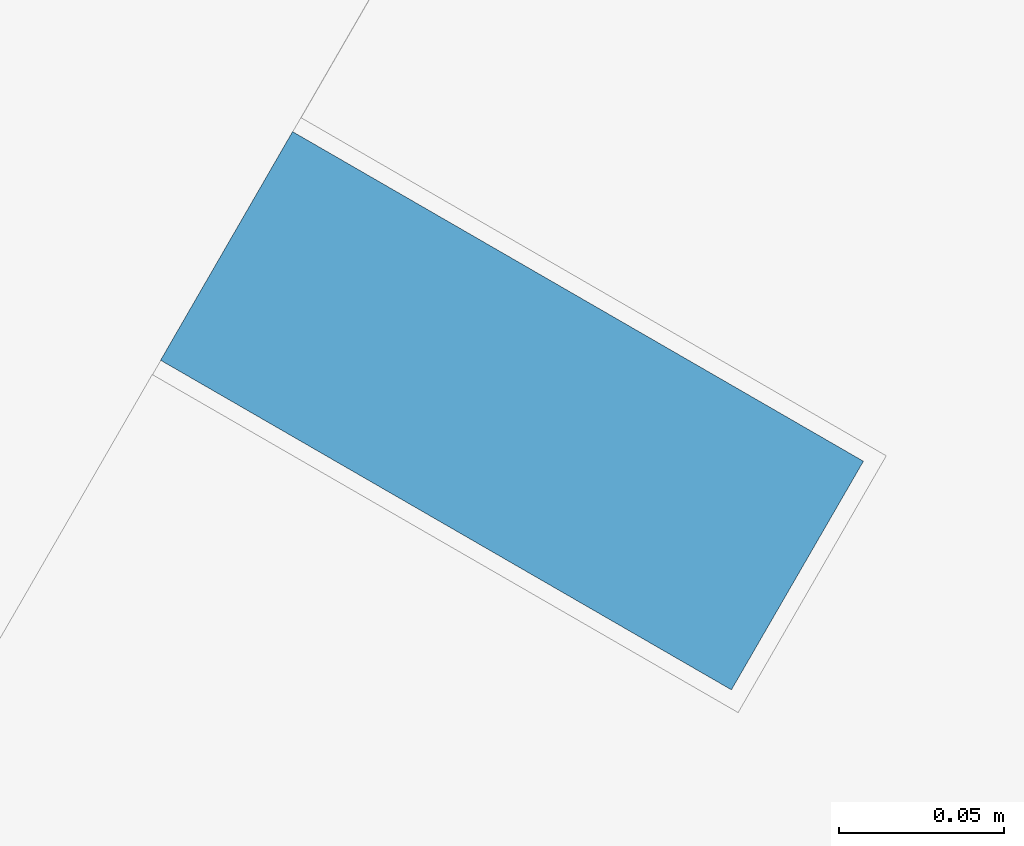
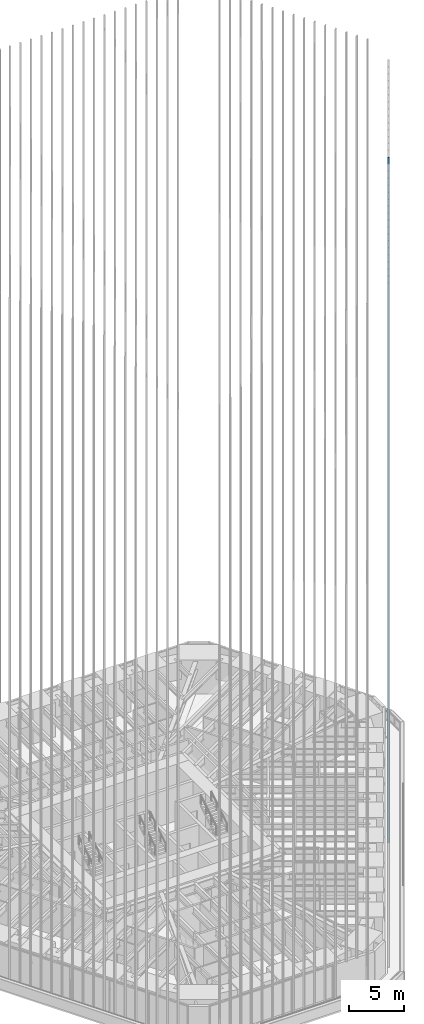
# One storey, part 99 of 238: 1 member, 1 element without a shape of its own.
"""IFC4 building model written with IfcOpenShell, lengths in metres."""

from ifc_helpers import new_model, si_unit, direction, frame, origin, origin_2d, place, context, subcontext, project, spatial, rectangle, extrude, material, material_profile, profile_set, type_object, element, aggregate, save


model = new_model("IFC4")

# Units and contexts
model_context = context("Model", 3, precision=1e-05, world=origin(), true_north=direction((0.0, 1.0)))
body_context = subcontext(model_context, "Body", "Model", "MODEL_VIEW")
ifc_project = project(units=[si_unit("LENGTHUNIT", "METRE"), si_unit("AREAUNIT", "SQUARE_METRE"), si_unit("VOLUMEUNIT", "CUBIC_METRE"), si_unit("PLANEANGLEUNIT", "RADIAN"), si_unit("MASSUNIT", "GRAM", prefix="KILO")], contexts=[model_context])

# Site, building, storey
site_placement = place(None, origin())
site = spatial("IfcSite", under=ifc_project, at=site_placement, CompositionType="ELEMENT")
building_placement = place(site_placement, origin())
building = spatial("IfcBuilding", under=site, at=building_placement, Name="Sandreach Pilgrim Tower", CompositionType="ELEMENT")
storey_placement = place(building_placement, frame((0.0, 0.0, 96.800048828125)))
storey = spatial("IfcBuildingStorey", under=building, at=storey_placement, Name="L23", CompositionType="ELEMENT", Elevation=96.800048828125)

# Curtain wall, member
ifc_material_1 = material(Name="Aluminium framed curtain wall", Category="aluminium")
curtain_wall_type = type_object("IfcCurtainWallType", Name="Hotel tower curtain wall", PredefinedType="NOTDEFINED", material=ifc_material_1)
curtain_wall_placement = place(storey_placement, origin())
curtain_wall = element("IfcCurtainWall", 1, at=curtain_wall_placement, inside=storey, type_object=curtain_wall_type, Name="CW-2 L23 SE", PredefinedType="NOTDEFINED")
ifc_material_2 = material(Name="Extruded terracotta on aluminium core", Category="masonry")
ifc_material_profile = material_profile(ifc_material_2, rectangle(XDim=0.080078125, YDim=0.199951171875, at=origin_2d()), Name="TBE 80X200")
ifc_profile_set = profile_set([ifc_material_profile], Name="Extruded terracotta on aluminium core")
member_type = type_object("IfcMemberType", Name="Terracotta baguette east", PredefinedType="USERDEFINED", material=ifc_profile_set)
member_placement = place(storey_placement, frame((20.92724609375, -9.540283203125, 0.0), z_axis=(0.0, 0.0, 1.0), x_axis=(-0.5, -0.866025403784, 0.0)))
member = element("IfcMember", 2, at=member_placement, type_object=member_type, Name="Baguette Z2 SE15", ObjectType="BAGUETTE", PredefinedType="USERDEFINED", context=body_context, shape_type="SweptSolid", body=[
    extrude(rectangle(XDim=0.080078125, YDim=0.199951171875, at=origin_2d()), origin(), (0.0, 0.0, 1.0), 75.83984375),
])
aggregate(curtain_wall, [member])

save(model, "model.ifc")
